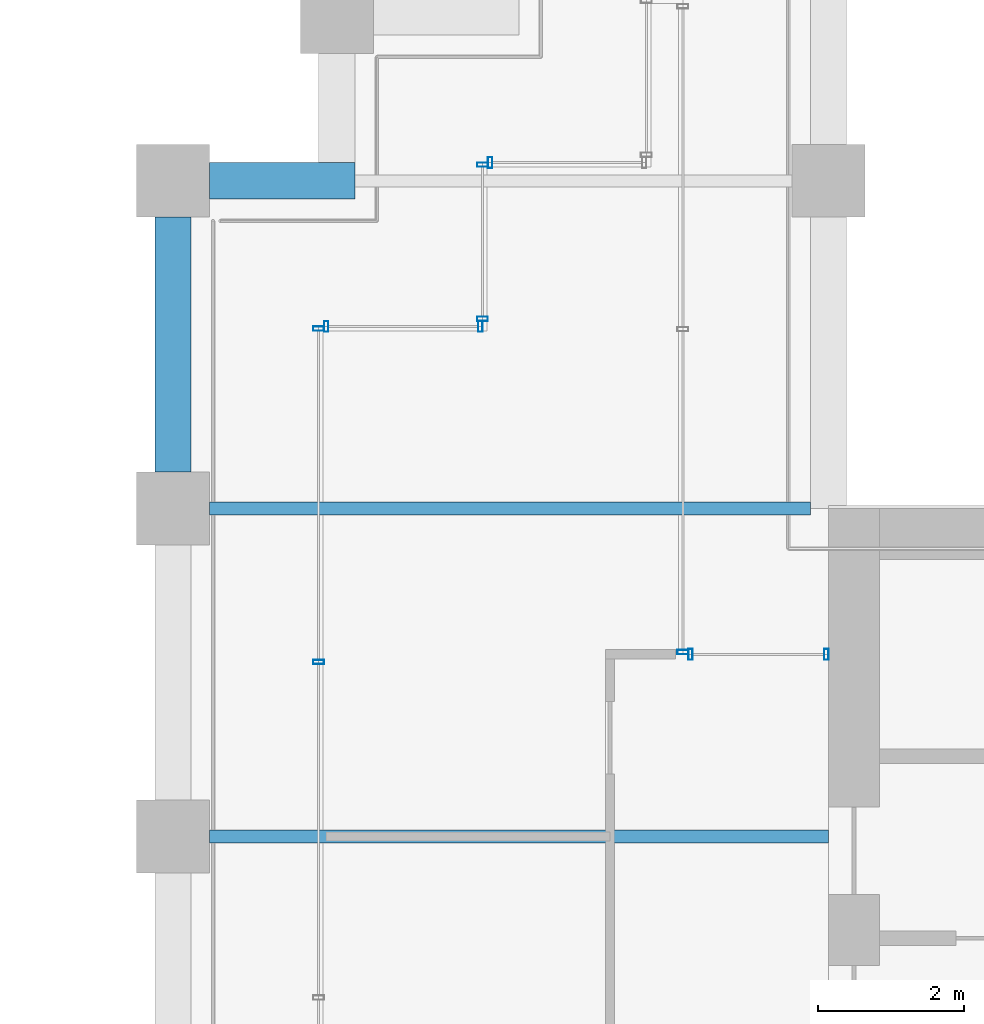
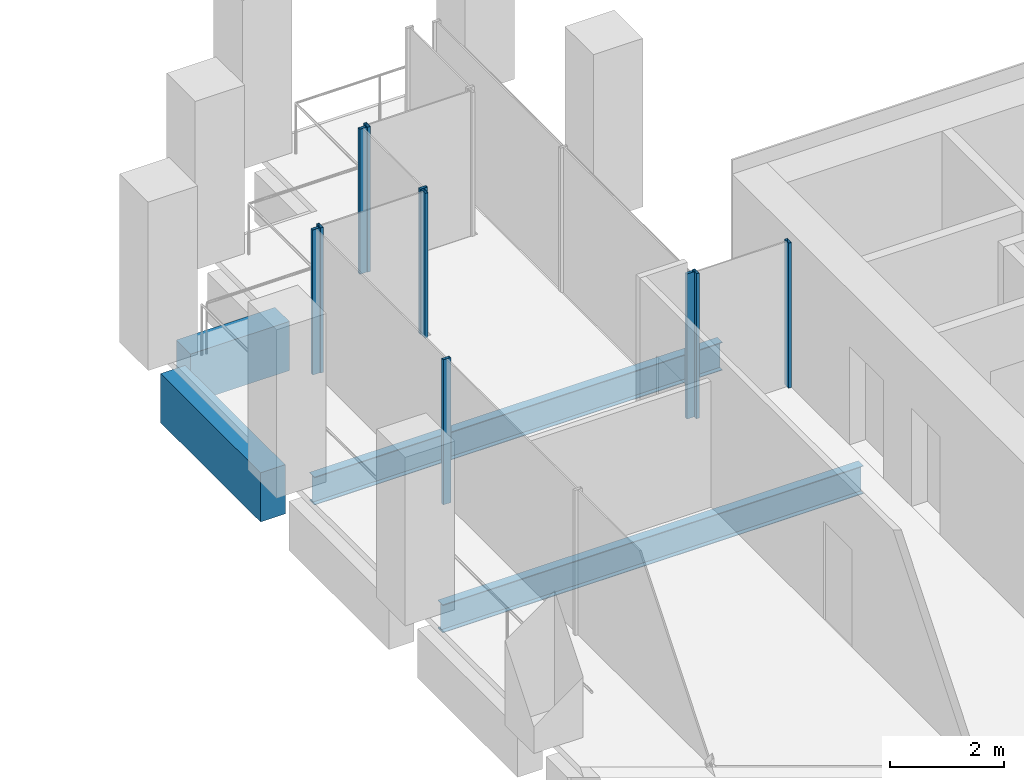
# One storey, part 34 of 46: 10 members, 4 beams, 6 elements without a shape of their own.
"""IFC4 building model written with IfcOpenShell, lengths in metres."""

from ifc_helpers import new_model, si_unit, direction, frame, origin, origin_2d, place, context, subcontext, project, spatial, rectangle, hollow_rectangle, i_section, extrude, material, material_profile, profile_set, type_object, element, aggregate, save


model = new_model("IFC4")

# Units and contexts
model_context = context("Model", 3, precision=1e-05, world=origin(), true_north=direction((0.0, 1.0)))
body_context = subcontext(model_context, "Body", "Model", "MODEL_VIEW")
ifc_project = project(units=[si_unit("LENGTHUNIT", "METRE"), si_unit("AREAUNIT", "SQUARE_METRE"), si_unit("VOLUMEUNIT", "CUBIC_METRE"), si_unit("PLANEANGLEUNIT", "RADIAN"), si_unit("MASSUNIT", "GRAM", prefix="KILO")], contexts=[model_context])

# Site, building, storey
site_placement = place(None, origin())
site = spatial("IfcSite", under=ifc_project, at=site_placement, CompositionType="ELEMENT")
building_placement = place(site_placement, origin())
building = spatial("IfcBuilding", under=site, at=building_placement, Name="Altepetl Exchange Towers", CompositionType="ELEMENT")
storey_placement = place(building_placement, frame((0.0, 0.0, 135.199951171875)))
storey = spatial("IfcBuildingStorey", under=building, at=storey_placement, Name="L33", CompositionType="ELEMENT", Elevation=135.199951171875)

# Beams
ifc_material_1 = material(Name="Steel S355", Category="steel")
ifc_material_profile_1 = material_profile(ifc_material_1, i_section(OverallWidth=0.177978515625, OverallDepth=0.59912109375, WebThickness=0.010009765625, FlangeThickness=0.0126953125, at=origin_2d()), Name="W24X55")
ifc_profile_set_1 = profile_set([ifc_material_profile_1], Name="Steel S355")
beam_type_1 = type_object("IfcBeamType", Name="Floor beam W24X55", PredefinedType="BEAM", material=ifc_profile_set_1)
beam_1_placement = place(storey_placement, frame((95.0, 45.0, -0.449462890625), z_axis=(1.0, 0.0, 0.0), x_axis=(0.0, 1.0, 0.0)))
element("IfcBeam", 1, at=beam_1_placement, inside=storey, type_object=beam_type_1, Name="bm:B:L33:009", PredefinedType="BEAM", context=body_context, shape_type="SweptSolid", body=[
    extrude(i_section(OverallWidth=0.177978515625, OverallDepth=0.59912109375, WebThickness=0.010009765625, FlangeThickness=0.0126953125, at=origin_2d()), origin(), (0.0, 0.0, 1.0), 8.5),
])
beam_2_placement = place(storey_placement, frame((95.0, 49.5, -0.449462890625), z_axis=(1.0, 0.0, 0.0), x_axis=(0.0, 1.0, 0.0)))
element("IfcBeam", 2, at=beam_2_placement, inside=storey, type_object=beam_type_1, Name="bm:B:L33:010", PredefinedType="BEAM", context=body_context, shape_type="SweptSolid", body=[
    extrude(i_section(OverallWidth=0.177978515625, OverallDepth=0.59912109375, WebThickness=0.010009765625, FlangeThickness=0.0126953125, at=origin_2d()), origin(), (0.0, 0.0, 1.0), 8.25),
])

# Curtain wall, members
ifc_material_2 = material(Name="Aluminium 6063-T6 glazing", Category="aluminium")
curtain_wall_type = type_object("IfcCurtainWallType", Name="Loggia glazing system", PredefinedType="NOTDEFINED", material=ifc_material_2)
curtain_wall_1_placement = place(storey_placement, origin())
curtain_wall_1 = element("IfcCurtainWall", 3, at=curtain_wall_1_placement, inside=storey, type_object=curtain_wall_type, Name="CW1 run", PredefinedType="NOTDEFINED")
ifc_material_3 = material(Name="Aluminium 6063-T6", Category="aluminium")
ifc_material_profile_2 = material_profile(ifc_material_3, hollow_rectangle(XDim=0.06005859375, YDim=0.14990234375, WallThickness=0.0029296875, at=origin_2d()), Name="Mullion 60x150 aluminium")
ifc_profile_set_2 = profile_set([ifc_material_profile_2], Name="Aluminium 6063-T6")
member_type = type_object("IfcMemberType", Name="Mullion 60x150 aluminium", PredefinedType="MULLION", material=ifc_profile_set_2)
member_1_placement = place(storey_placement, frame((98.719970703125, 52.0, 0.0), z_axis=(0.0, 0.0, 1.0), x_axis=(-1.0, 0.0, 0.0)))
member_1 = element("IfcMember", 4, at=member_1_placement, type_object=member_type, Name="MU1 mullion", PredefinedType="MULLION", context=body_context, shape_type="SweptSolid", body=[
    extrude(hollow_rectangle(XDim=0.06005859375, YDim=0.14990234375, WallThickness=0.0029296875, at=origin_2d()), origin(), (0.0, 0.0, 1.0), 3.10009765625),
])
member_2_placement = place(storey_placement, frame((96.60498046875, 52.0, 0.0), z_axis=(0.0, 0.0, 1.0), x_axis=(-1.0, 0.0, 0.0)))
member_2 = element("IfcMember", 5, at=member_2_placement, type_object=member_type, Name="MU1 mullion", PredefinedType="MULLION", context=body_context, shape_type="SweptSolid", body=[
    extrude(hollow_rectangle(XDim=0.06005859375, YDim=0.14990234375, WallThickness=0.0029296875, at=origin_2d()), origin(), (0.0, 0.0, 1.0), 3.10009765625),
])
aggregate(curtain_wall_1, [member_1, member_2])

curtain_wall_2_placement = place(storey_placement, origin())
curtain_wall_2 = element("IfcCurtainWall", 6, at=curtain_wall_2_placement, inside=storey, type_object=curtain_wall_type, Name="CW1 run", PredefinedType="NOTDEFINED")
member_3_placement = place(storey_placement, frame((96.5, 51.969970703125, 0.0), z_axis=(0.0, 0.0, 1.0), x_axis=(0.0, -1.0, 0.0)))
member_3 = element("IfcMember", 7, at=member_3_placement, type_object=member_type, Name="MU1 mullion", PredefinedType="MULLION", context=body_context, shape_type="SweptSolid", body=[
    extrude(hollow_rectangle(XDim=0.06005859375, YDim=0.14990234375, WallThickness=0.0029296875, at=origin_2d()), origin(), (0.0, 0.0, 1.0), 3.10009765625),
])
member_4_placement = place(storey_placement, frame((96.5, 47.393798828125, 0.0), z_axis=(0.0, 0.0, 1.0), x_axis=(0.0, -1.0, 0.0)))
member_4 = element("IfcMember", 8, at=member_4_placement, type_object=member_type, Name="MU1 mullion", PredefinedType="MULLION", context=body_context, shape_type="SweptSolid", body=[
    extrude(hollow_rectangle(XDim=0.06005859375, YDim=0.14990234375, WallThickness=0.0029296875, at=origin_2d()), origin(), (0.0, 0.0, 1.0), 3.10009765625),
])
aggregate(curtain_wall_2, [member_3, member_4])

curtain_wall_3_placement = place(storey_placement, origin())
curtain_wall_3 = element("IfcCurtainWall", 9, at=curtain_wall_3_placement, inside=storey, type_object=curtain_wall_type, Name="CW1 run", PredefinedType="NOTDEFINED")
member_5_placement = place(storey_placement, frame((103.469970703125, 47.5, 0.0), z_axis=(0.0, 0.0, 1.0), x_axis=(-1.0, 0.0, 0.0)))
member_5 = element("IfcMember", 10, at=member_5_placement, type_object=member_type, Name="MU1 mullion", PredefinedType="MULLION", context=body_context, shape_type="SweptSolid", body=[
    extrude(hollow_rectangle(XDim=0.06005859375, YDim=0.14990234375, WallThickness=0.0029296875, at=origin_2d()), origin(), (0.0, 0.0, 1.0), 3.10009765625),
])
member_6_placement = place(storey_placement, frame((101.60498046875, 47.5, 0.0), z_axis=(0.0, 0.0, 1.0), x_axis=(-1.0, 0.0, 0.0)))
member_6 = element("IfcMember", 11, at=member_6_placement, type_object=member_type, Name="MU1 mullion", PredefinedType="MULLION", context=body_context, shape_type="SweptSolid", body=[
    extrude(hollow_rectangle(XDim=0.06005859375, YDim=0.14990234375, WallThickness=0.0029296875, at=origin_2d()), origin(), (0.0, 0.0, 1.0), 3.10009765625),
])
aggregate(curtain_wall_3, [member_5, member_6])

# Curtain wall, member
curtain_wall_4_placement = place(storey_placement, origin())
curtain_wall_4 = element("IfcCurtainWall", 12, at=curtain_wall_4_placement, inside=storey, type_object=curtain_wall_type, Name="CW1 run", PredefinedType="NOTDEFINED")
member_7_placement = place(storey_placement, frame((101.5, 47.530029296875, 0.0), z_axis=(0.0, 0.0, 1.0), x_axis=(0.0, 1.0, 0.0)))
member_7 = element("IfcMember", 13, at=member_7_placement, type_object=member_type, Name="MU1 mullion", PredefinedType="MULLION", context=body_context, shape_type="SweptSolid", body=[
    extrude(hollow_rectangle(XDim=0.06005859375, YDim=0.14990234375, WallThickness=0.0029296875, at=origin_2d()), origin(), (0.0, 0.0, 1.0), 3.10009765625),
])
aggregate(curtain_wall_4, [member_7])

curtain_wall_5_placement = place(storey_placement, origin())
curtain_wall_5 = element("IfcCurtainWall", 14, at=curtain_wall_5_placement, inside=storey, type_object=curtain_wall_type, Name="CW1 run", PredefinedType="NOTDEFINED")
member_8_placement = place(storey_placement, frame((98.85498046875, 54.25, 0.0), z_axis=(0.0, 0.0, 1.0), x_axis=(-1.0, 0.0, 0.0)))
member_8 = element("IfcMember", 15, at=member_8_placement, type_object=member_type, Name="MU1 mullion", PredefinedType="MULLION", context=body_context, shape_type="SweptSolid", body=[
    extrude(hollow_rectangle(XDim=0.06005859375, YDim=0.14990234375, WallThickness=0.0029296875, at=origin_2d()), origin(), (0.0, 0.0, 1.0), 3.10009765625),
])
aggregate(curtain_wall_5, [member_8])

# Curtain wall, members
curtain_wall_6_placement = place(storey_placement, origin())
curtain_wall_6 = element("IfcCurtainWall", 16, at=curtain_wall_6_placement, inside=storey, type_object=curtain_wall_type, Name="CW1 run", PredefinedType="NOTDEFINED")
member_9_placement = place(storey_placement, frame((98.75, 54.219970703125, 0.0), z_axis=(0.0, 0.0, 1.0), x_axis=(0.0, -1.0, 0.0)))
member_9 = element("IfcMember", 17, at=member_9_placement, type_object=member_type, Name="MU1 mullion", PredefinedType="MULLION", context=body_context, shape_type="SweptSolid", body=[
    extrude(hollow_rectangle(XDim=0.06005859375, YDim=0.14990234375, WallThickness=0.0029296875, at=origin_2d()), origin(), (0.0, 0.0, 1.0), 3.10009765625),
])
member_10_placement = place(storey_placement, frame((98.75, 52.10498046875, 0.0), z_axis=(0.0, 0.0, 1.0), x_axis=(0.0, -1.0, 0.0)))
member_10 = element("IfcMember", 18, at=member_10_placement, type_object=member_type, Name="MU1 mullion", PredefinedType="MULLION", context=body_context, shape_type="SweptSolid", body=[
    extrude(hollow_rectangle(XDim=0.06005859375, YDim=0.14990234375, WallThickness=0.0029296875, at=origin_2d()), origin(), (0.0, 0.0, 1.0), 3.10009765625),
])
aggregate(curtain_wall_6, [member_9, member_10])

# Beams
ifc_material_4 = material(Name="Concrete C50/60 precast with cantera rosa facing", Category="concrete")
ifc_material_profile_3 = material_profile(ifc_material_4, rectangle(XDim=0.5, YDim=1.050048828125, at=origin_2d()), Name="500 x 1050")
ifc_profile_set_3 = profile_set([ifc_material_profile_3], Name="Concrete C50/60 precast with cantera rosa facing")
beam_type_2 = type_object("IfcBeamType", Name="Spandrel beam 500x1050 cantera rosa", PredefinedType="SPANDREL", material=ifc_profile_set_3)
beam_3_placement = place(storey_placement, frame((97.0, 54.0, -0.675048828125), z_axis=(-1.0, 0.0, 0.0), x_axis=(0.0, -1.0, 0.0)))
element("IfcBeam", 19, at=beam_3_placement, inside=storey, type_object=beam_type_2, Name="sp:B:L33:021", PredefinedType="SPANDREL", context=body_context, shape_type="SweptSolid", body=[
    extrude(rectangle(XDim=0.5, YDim=1.050048828125, at=origin_2d()), origin(), (0.0, 0.0, 1.0), 2.0),
])
beam_4_placement = place(storey_placement, frame((94.5, 53.5, -0.675048828125), z_axis=(0.0, -1.0, 0.0), x_axis=(1.0, 0.0, 0.0)))
element("IfcBeam", 20, at=beam_4_placement, inside=storey, type_object=beam_type_2, Name="sp:B:L33:022", PredefinedType="SPANDREL", context=body_context, shape_type="SweptSolid", body=[
    extrude(rectangle(XDim=0.5, YDim=1.050048828125, at=origin_2d()), origin(), (0.0, 0.0, 1.0), 3.5),
])

save(model, "model.ifc")
